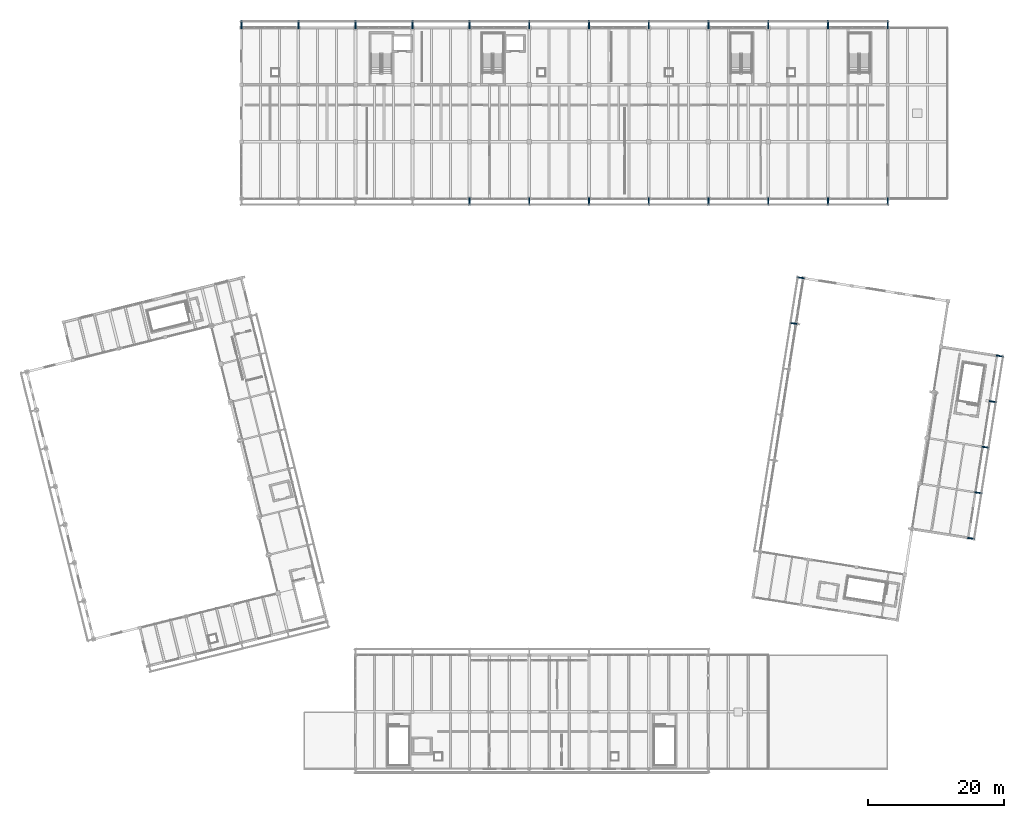
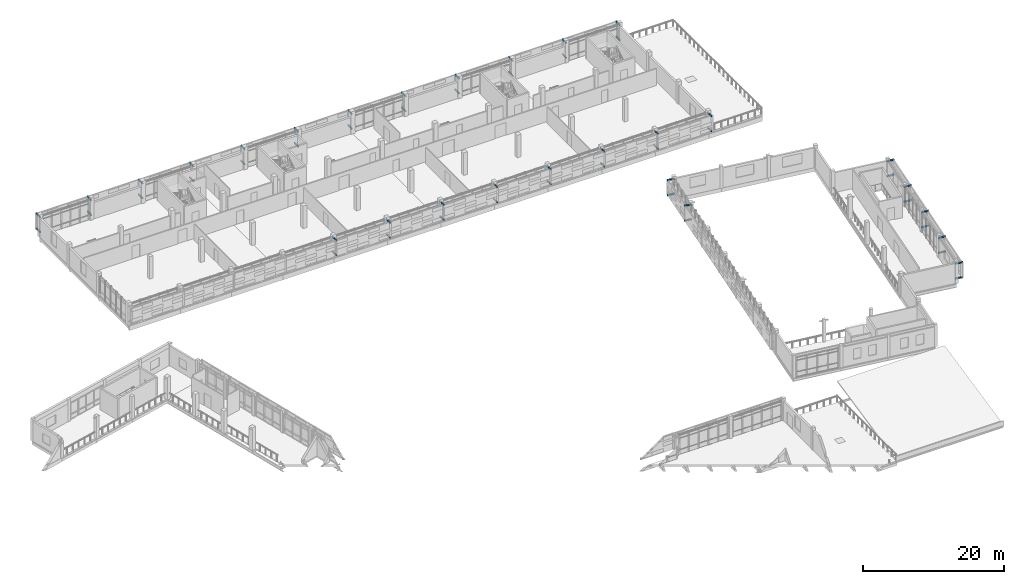
# One storey, part 104 of 117: 54 discrete accessories.
"""IFC4 building model written with IfcOpenShell, lengths in metres."""

from ifc_helpers import new_model, si_unit, direction, frame, origin, origin_2d, place, context, subcontext, project, spatial, rectangle, extrude, material, type_object, element, save


model = new_model("IFC4")

# Units and contexts
model_context = context("Model", 3, precision=1e-05, world=origin(), true_north=direction((0.0, 1.0)))
body_context = subcontext(model_context, "Body", "Model", "MODEL_VIEW")
ifc_project = project(units=[si_unit("LENGTHUNIT", "METRE"), si_unit("AREAUNIT", "SQUARE_METRE"), si_unit("VOLUMEUNIT", "CUBIC_METRE"), si_unit("PLANEANGLEUNIT", "RADIAN"), si_unit("MASSUNIT", "GRAM", prefix="KILO")], contexts=[model_context])

# Site, building, storey
site_placement = place(None, origin())
site = spatial("IfcSite", under=ifc_project, at=site_placement, CompositionType="ELEMENT")
building_placement = place(site_placement, origin())
building = spatial("IfcBuilding", under=site, at=building_placement, Name="Cinderway Yard Community Centre", CompositionType="ELEMENT")
storey_placement = place(building_placement, frame((0.0, 0.0, 9.0)))
storey = spatial("IfcBuildingStorey", under=building, at=storey_placement, Name="L02", CompositionType="ELEMENT", Elevation=9.0)

# Discrete accessories
ifc_material = material(Name="Steel S355", Category="steel")
discrete_accessory_type = type_object("IfcDiscreteAccessoryType", Name="ENV-ACC-BRACKET", PredefinedType="BRACKET", material=ifc_material)
for number, where, z_axis, x_axis, name in (
    (1, (41.60009765625, 115.675048828125, 0.6201171875), (0.0, 0.0, 1.0), (0.0, 1.0, 0.0), "Screen outrigger bracket 0055"),
    (2, (41.60009765625, 115.675048828125, 3.2099609375), (0.0, 0.0, 1.0), (0.0, 1.0, 0.0), "Screen outrigger bracket 0056"),
    (3, (50.0, 115.675048828125, 0.6201171875), (0.0, 0.0, 1.0), (0.0, 1.0, 0.0), "Screen outrigger bracket 0059"),
    (4, (50.0, 115.675048828125, 3.2099609375), (0.0, 0.0, 1.0), (0.0, 1.0, 0.0), "Screen outrigger bracket 0060"),
    (5, (58.39990234375, 115.675048828125, 0.6201171875), (0.0, 0.0, 1.0), (0.0, 1.0, 0.0), "Screen outrigger bracket 0063"),
    (6, (58.39990234375, 115.675048828125, 3.2099609375), (0.0, 0.0, 1.0), (0.0, 1.0, 0.0), "Screen outrigger bracket 0064"),
    (7, (66.800048828125, 115.675048828125, 0.6201171875), (0.0, 0.0, 1.0), (0.0, 1.0, 0.0), "Screen outrigger bracket 0067"),
    (8, (66.800048828125, 115.675048828125, 3.2099609375), (0.0, 0.0, 1.0), (0.0, 1.0, 0.0), "Screen outrigger bracket 0068"),
    (9, (75.199951171875, 115.675048828125, 0.6201171875), (0.0, 0.0, 1.0), (0.0, 1.0, 0.0), "Screen outrigger bracket 0071"),
    (10, (75.199951171875, 115.675048828125, 3.2099609375), (0.0, 0.0, 1.0), (0.0, 1.0, 0.0), "Screen outrigger bracket 0072"),
    (11, (84.0, 115.675048828125, 0.6201171875), (0.0, 0.0, 1.0), (0.0, 1.0, 0.0), "Screen outrigger bracket 0075"),
    (12, (84.0, 115.675048828125, 3.2099609375), (0.0, 0.0, 1.0), (0.0, 1.0, 0.0), "Screen outrigger bracket 0076"),
    (13, (92.800048828125, 115.675048828125, 0.6201171875), (0.0, 0.0, 1.0), (0.0, 1.0, 0.0), "Screen outrigger bracket 0079"),
    (14, (92.800048828125, 115.675048828125, 3.2099609375), (0.0, 0.0, 1.0), (0.0, 1.0, 0.0), "Screen outrigger bracket 0080"),
    (15, (101.60009765625, 115.675048828125, 0.6201171875), (0.0, 0.0, 1.0), (0.0, 1.0, 0.0), "Screen outrigger bracket 0083"),
    (16, (101.60009765625, 115.675048828125, 3.2099609375), (0.0, 0.0, 1.0), (0.0, 1.0, 0.0), "Screen outrigger bracket 0084"),
    (17, (110.39990234375, 115.675048828125, 0.6201171875), (0.0, 0.0, 1.0), (0.0, 1.0, 0.0), "Screen outrigger bracket 0087"),
    (18, (110.39990234375, 115.675048828125, 3.2099609375), (0.0, 0.0, 1.0), (0.0, 1.0, 0.0), "Screen outrigger bracket 0088"),
    (19, (119.199951171875, 115.675048828125, 0.6201171875), (0.0, 0.0, 1.0), (0.0, 1.0, 0.0), "Screen outrigger bracket 0091"),
    (20, (119.199951171875, 115.675048828125, 3.2099609375), (0.0, 0.0, 1.0), (0.0, 1.0, 0.0), "Screen outrigger bracket 0092"),
    (21, (128.0, 115.675048828125, 0.6201171875), (0.0, 0.0, 1.0), (0.0, 1.0, 0.0), "Screen outrigger bracket 0095"),
    (22, (128.0, 115.675048828125, 3.2099609375), (0.0, 0.0, 1.0), (0.0, 1.0, 0.0), "Screen outrigger bracket 0096"),
    (23, (136.800048828125, 115.675048828125, 0.6201171875), (0.0, 0.0, 1.0), (0.0, 1.0, 0.0), "Screen outrigger bracket 0099"),
    (24, (136.800048828125, 115.675048828125, 3.2099609375), (0.0, 0.0, 1.0), (0.0, 1.0, 0.0), "Screen outrigger bracket 0100"),
):
    element("IfcDiscreteAccessory", number, at=place(storey_placement, frame(where, z_axis=z_axis, x_axis=x_axis)), inside=storey, type_object=discrete_accessory_type, Name=name, PredefinedType="BRACKET", context=body_context, shape_type="SweptSolid", body=[
        extrude(rectangle(XDim=1.18994140625, YDim=0.179931640625, at=origin_2d()), origin(), (0.0, 0.0, 1.0), 0.219970703125),
    ])
for number, where, z_axis, x_axis, name in (
    (25, (75.199951171875, 89.574951171875, 0.6201171875), (0.0, 0.0, 1.0), (0.0, -1.0, 0.0), "Screen outrigger bracket 0243"),
    (26, (75.199951171875, 89.574951171875, 3.2099609375), (0.0, 0.0, 1.0), (0.0, -1.0, 0.0), "Screen outrigger bracket 0244"),
    (27, (84.0, 89.574951171875, 0.6201171875), (0.0, 0.0, 1.0), (0.0, -1.0, 0.0), "Screen outrigger bracket 0247"),
    (28, (84.0, 89.574951171875, 3.2099609375), (0.0, 0.0, 1.0), (0.0, -1.0, 0.0), "Screen outrigger bracket 0248"),
    (29, (92.800048828125, 89.574951171875, 0.6201171875), (0.0, 0.0, 1.0), (0.0, -1.0, 0.0), "Screen outrigger bracket 0251"),
    (30, (92.800048828125, 89.574951171875, 3.2099609375), (0.0, 0.0, 1.0), (0.0, -1.0, 0.0), "Screen outrigger bracket 0252"),
    (31, (101.60009765625, 89.574951171875, 0.6201171875), (0.0, 0.0, 1.0), (0.0, -1.0, 0.0), "Screen outrigger bracket 0255"),
    (32, (101.60009765625, 89.574951171875, 3.2099609375), (0.0, 0.0, 1.0), (0.0, -1.0, 0.0), "Screen outrigger bracket 0256"),
    (33, (110.39990234375, 89.574951171875, 0.6201171875), (0.0, 0.0, 1.0), (0.0, -1.0, 0.0), "Screen outrigger bracket 0259"),
    (34, (110.39990234375, 89.574951171875, 3.2099609375), (0.0, 0.0, 1.0), (0.0, -1.0, 0.0), "Screen outrigger bracket 0260"),
    (35, (119.199951171875, 89.574951171875, 0.6201171875), (0.0, 0.0, 1.0), (0.0, -1.0, 0.0), "Screen outrigger bracket 0263"),
    (36, (119.199951171875, 89.574951171875, 3.2099609375), (0.0, 0.0, 1.0), (0.0, -1.0, 0.0), "Screen outrigger bracket 0264"),
    (37, (128.0, 89.574951171875, 0.6201171875), (0.0, 0.0, 1.0), (0.0, -1.0, 0.0), "Screen outrigger bracket 0267"),
    (38, (128.0, 89.574951171875, 3.2099609375), (0.0, 0.0, 1.0), (0.0, -1.0, 0.0), "Screen outrigger bracket 0268"),
    (39, (136.800048828125, 89.574951171875, 0.6201171875), (0.0, 0.0, 1.0), (0.0, -1.0, 0.0), "Screen outrigger bracket 0271"),
    (40, (136.800048828125, 89.574951171875, 3.2099609375), (0.0, 0.0, 1.0), (0.0, -1.0, 0.0), "Screen outrigger bracket 0272"),
    (41, (122.89892578125, 71.64697265625, 0.6201171875), (0.0, 0.0, 1.0), (-0.987688340595, 0.15643446504, 0.0), "Screen outrigger bracket 0647"),
    (42, (122.89892578125, 71.64697265625, 3.2099609375), (0.0, 0.0, 1.0), (-0.987688340595, 0.15643446504, 0.0), "Screen outrigger bracket 0648"),
    (43, (123.962890625, 78.364013671875, 0.6201171875), (0.0, 0.0, 1.0), (-0.987688340595, 0.15643446504, 0.0), "Screen outrigger bracket 0651"),
    (44, (123.962890625, 78.364013671875, 3.2099609375), (0.0, 0.0, 1.0), (-0.987688340595, 0.15643446504, 0.0), "Screen outrigger bracket 0652"),
    (45, (149.114013671875, 39.95703125, 0.6201171875), (0.0, 0.0, 1.0), (0.987688340595, -0.15643446504, 0.0), "Screen outrigger bracket 0655"),
    (46, (149.114013671875, 39.95703125, 3.2099609375), (0.0, 0.0, 1.0), (0.987688340595, -0.15643446504, 0.0), "Screen outrigger bracket 0656"),
    (47, (150.177978515625, 46.674072265625, 0.6201171875), (0.0, 0.0, 1.0), (0.987688340595, -0.15643446504, 0.0), "Screen outrigger bracket 0659"),
    (48, (150.177978515625, 46.674072265625, 3.2099609375), (0.0, 0.0, 1.0), (0.987688340595, -0.15643446504, 0.0), "Screen outrigger bracket 0660"),
    (49, (151.241943359375, 53.389892578125, 0.6201171875), (0.0, 0.0, 1.0), (0.987688340595, -0.15643446504, 0.0), "Screen outrigger bracket 0663"),
    (50, (151.241943359375, 53.389892578125, 3.2099609375), (0.0, 0.0, 1.0), (0.987688340595, -0.15643446504, 0.0), "Screen outrigger bracket 0664"),
    (51, (152.305908203125, 60.10595703125, 0.6201171875), (0.0, 0.0, 1.0), (0.987688340595, -0.15643446504, 0.0), "Screen outrigger bracket 0667"),
    (52, (152.305908203125, 60.10595703125, 3.2099609375), (0.0, 0.0, 1.0), (0.987688340595, -0.15643446504, 0.0), "Screen outrigger bracket 0668"),
    (53, (153.368896484375, 66.822021484375, 0.6201171875), (0.0, 0.0, 1.0), (0.987688340595, -0.15643446504, 0.0), "Screen outrigger bracket 0671"),
    (54, (153.368896484375, 66.822021484375, 3.2099609375), (0.0, 0.0, 1.0), (0.987688340595, -0.15643446504, 0.0), "Screen outrigger bracket 0672"),
):
    element("IfcDiscreteAccessory", number, at=place(storey_placement, frame(where, z_axis=z_axis, x_axis=x_axis)), inside=storey, type_object=discrete_accessory_type, Name=name, PredefinedType="BRACKET", context=body_context, shape_type="SweptSolid", body=[
        extrude(rectangle(XDim=1.090087890625, YDim=0.179931640625, at=origin_2d()), origin(), (0.0, 0.0, 1.0), 0.219970703125),
    ])

save(model, "model.ifc")
